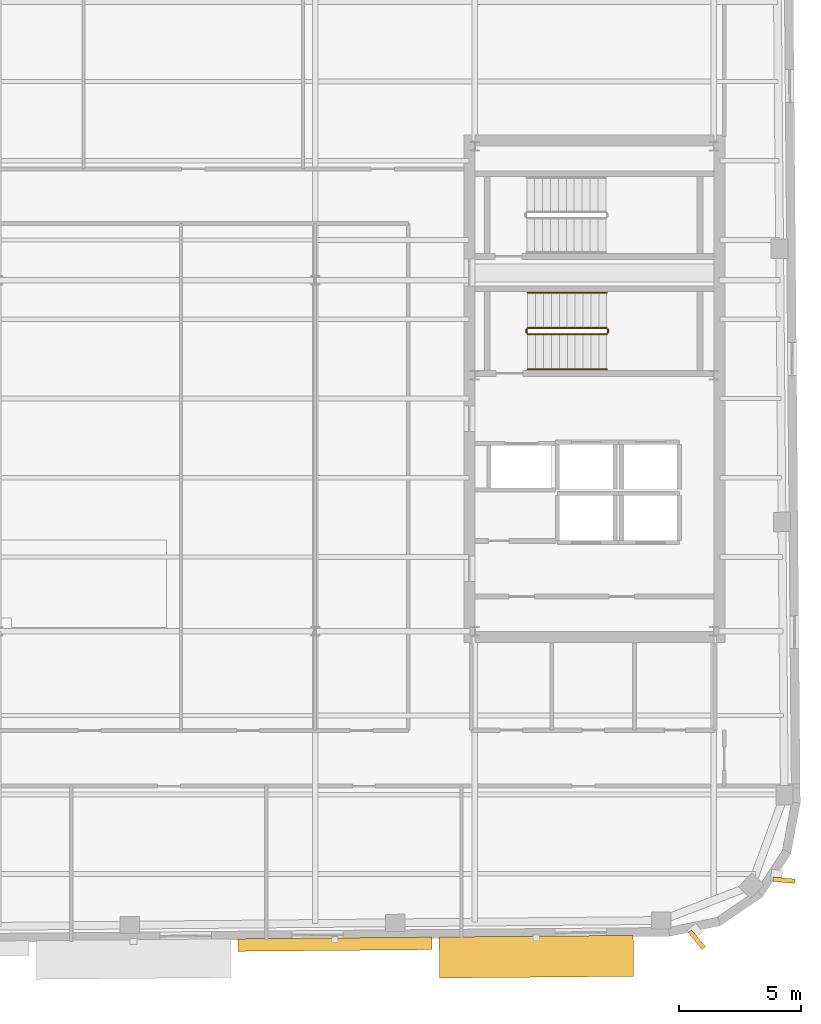
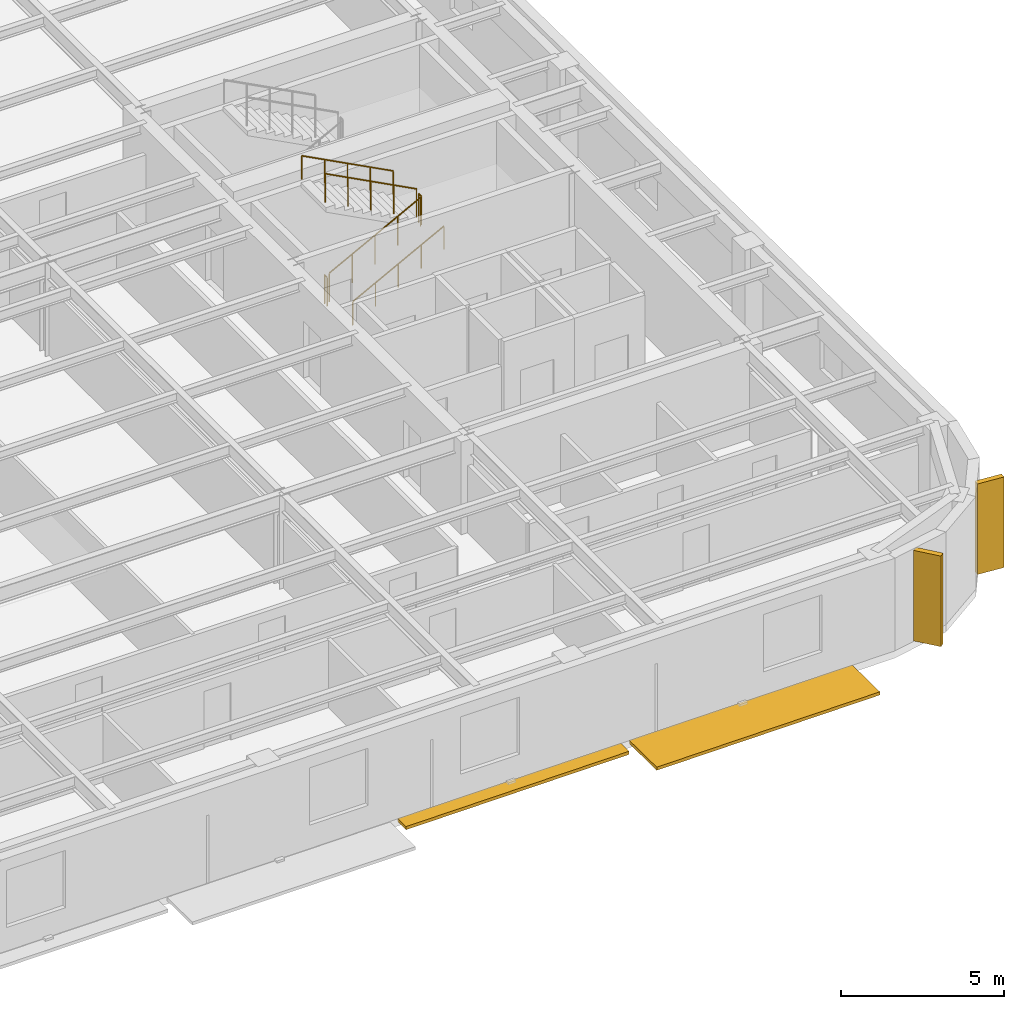
# One storey, part 13 of 15: 6 railings, 4 shading devices.
"""IFC4 building model written with IfcOpenShell, lengths in metres."""

from ifc_helpers import new_model, si_unit, direction, frame, origin, origin_2d, place, context, subcontext, project, spatial, rectangle, circle, extrude, material, type_object, element, save


model = new_model("IFC4")

# Units and contexts
model_context = context("Model", 3, precision=1e-05, world=origin(), true_north=direction((0.0, 1.0)))
body_context = subcontext(model_context, "Body", "Model", "MODEL_VIEW")
ifc_project = project(units=[si_unit("LENGTHUNIT", "METRE"), si_unit("AREAUNIT", "SQUARE_METRE"), si_unit("VOLUMEUNIT", "CUBIC_METRE"), si_unit("PLANEANGLEUNIT", "RADIAN"), si_unit("MASSUNIT", "GRAM", prefix="KILO")], contexts=[model_context])

# Site, building, storey
site_placement = place(None, origin())
site = spatial("IfcSite", under=ifc_project, at=site_placement, CompositionType="ELEMENT")
building_placement = place(site_placement, origin())
building = spatial("IfcBuilding", under=site, at=building_placement, Name="Kolvaren Arena Tower", CompositionType="ELEMENT")
storey_placement = place(building_placement, frame((0.0, 0.0, 293.64990234375)))
storey = spatial("IfcBuildingStorey", under=building, at=storey_placement, Name="L72", CompositionType="ELEMENT", Elevation=293.64990234375)

# Railings
ifc_material_1 = material(Name="Painted galvanized steel", Category="steel")
railing_type_1 = type_object("IfcRailingType", Name="GUARD-ST-110", PredefinedType="GUARDRAIL", material=ifc_material_1)
railing_1_placement = place(storey_placement, frame((52.719970703125, 31.639892578125, 0.170654296875)))
element("IfcRailing", 1, at=railing_1_placement, inside=storey, type_object=railing_type_1, Name="L72 ST-E1 stair guard 1", PredefinedType="GUARDRAIL", context=body_context, shape_type="SweptSolid", body=[
    extrude(circle(Radius=0.02392578125, at=origin_2d()), frame((0.0, 0.0, 1.076171875), z_axis=(0.885020909582, 0.0, 0.465551274945), x_axis=(0.0, 1.0, 0.0)), (0.0, 0.0, 1.0), 3.660888671875),
    extrude(circle(Radius=0.02099609375, at=origin_2d()), origin(), (0.0, 0.0, 1.0), 1.052001953125),
    extrude(circle(Radius=0.02099609375, at=origin_2d()), frame((0.81005859375, 0.0, 0.426025390625)), (0.0, 0.0, 1.0), 1.052001953125),
    extrude(circle(Radius=0.02099609375, at=origin_2d()), frame((1.6201171875, 0.0, 0.85205078125)), (0.0, 0.0, 1.0), 1.052001953125),
    extrude(circle(Radius=0.02099609375, at=origin_2d()), frame((2.429931640625, 0.0, 1.2783203125)), (0.0, 0.0, 1.0), 1.052001953125),
    extrude(circle(Radius=0.02099609375, at=origin_2d()), frame((3.239990234375, 0.0, 1.704345703125)), (0.0, 0.0, 1.0), 1.052001953125),
])
railing_2_placement = place(storey_placement, frame((56.010009765625, 31.68994140625, 1.875)))
element("IfcRailing", 2, at=railing_2_placement, inside=storey, type_object=railing_type_1, Name="L72 ST-E1 stair guard 2", PredefinedType="GUARDRAIL", context=body_context, shape_type="SweptSolid", body=[
    extrude(circle(Radius=0.02392578125, at=origin_2d()), frame((0.0, 0.0, 1.076171875), z_axis=(0.0, 1.0, 0.0), x_axis=(-1.0, 0.0, 0.0)), (0.0, 0.0, 1.0), 0.150146484375),
    extrude(circle(Radius=0.02099609375, at=origin_2d()), origin(), (0.0, 0.0, 1.0), 1.052001953125),
    extrude(circle(Radius=0.02099609375, at=origin_2d()), frame((0.0, 0.150146484375, 0.0)), (0.0, 0.0, 1.0), 1.052001953125),
])
railing_3_placement = place(storey_placement, frame((55.9599609375, 31.889892578125, 2.045654296875)))
element("IfcRailing", 3, at=railing_3_placement, inside=storey, type_object=railing_type_1, Name="L72 ST-E1 stair guard 3", PredefinedType="GUARDRAIL", context=body_context, shape_type="SweptSolid", body=[
    extrude(circle(Radius=0.02392578125, at=origin_2d()), frame((0.0, 0.0, 1.076171875), z_axis=(-0.885020909582, 0.0, 0.465551274945), x_axis=(0.0, -1.0, 0.0)), (0.0, 0.0, 1.0), 3.660888671875),
    extrude(circle(Radius=0.02099609375, at=origin_2d()), origin(), (0.0, 0.0, 1.0), 1.052001953125),
    extrude(circle(Radius=0.02099609375, at=origin_2d()), frame((-0.81005859375, 0.0, 0.426025390625)), (0.0, 0.0, 1.0), 1.052001953125),
    extrude(circle(Radius=0.02099609375, at=origin_2d()), frame((-1.6201171875, 0.0, 0.85205078125)), (0.0, 0.0, 1.0), 1.052001953125),
    extrude(circle(Radius=0.02099609375, at=origin_2d()), frame((-2.429931640625, 0.0, 1.2783203125)), (0.0, 0.0, 1.0), 1.052001953125),
    extrude(circle(Radius=0.02099609375, at=origin_2d()), frame((-3.239990234375, 0.0, 1.704345703125)), (0.0, 0.0, 1.0), 1.052001953125),
])
railing_4_placement = place(storey_placement, frame((52.669921875, 31.68994140625, 0.0)))
element("IfcRailing", 4, at=railing_4_placement, inside=storey, type_object=railing_type_1, Name="L72 ST-E1 stair guard 4", PredefinedType="GUARDRAIL", context=body_context, shape_type="SweptSolid", body=[
    extrude(circle(Radius=0.02392578125, at=origin_2d()), frame((0.0, 0.0, 1.076171875), z_axis=(0.0, 1.0, 0.0), x_axis=(-1.0, 0.0, 0.0)), (0.0, 0.0, 1.0), 0.150146484375),
    extrude(circle(Radius=0.02099609375, at=origin_2d()), origin(), (0.0, 0.0, 1.0), 1.052001953125),
    extrude(circle(Radius=0.02099609375, at=origin_2d()), frame((0.0, 0.150146484375, 0.0)), (0.0, 0.0, 1.0), 1.052001953125),
])
ifc_material_2 = material(Name="Brushed stainless steel handrail", Category="steel")
railing_type_2 = type_object("IfcRailingType", Name="HRAIL-900", PredefinedType="HANDRAIL", material=ifc_material_2)
railing_5_placement = place(storey_placement, frame((52.719970703125, 30.199951171875, 0.170654296875)))
element("IfcRailing", 5, at=railing_5_placement, inside=storey, type_object=railing_type_2, Name="L72 ST-E1 stair handrail 1", PredefinedType="HANDRAIL", context=body_context, shape_type="SweptSolid", body=[
    extrude(circle(Radius=0.02392578125, at=origin_2d()), frame((0.0, 0.0, 0.8759765625), z_axis=(0.885020909582, 0.0, 0.465551274945), x_axis=(0.0, 1.0, 0.0)), (0.0, 0.0, 1.0), 3.660888671875),
    extrude(circle(Radius=0.02099609375, at=origin_2d()), origin(), (0.0, 0.0, 1.0), 0.851806640625),
    extrude(circle(Radius=0.02099609375, at=origin_2d()), frame((0.81005859375, 0.0, 0.426025390625)), (0.0, 0.0, 1.0), 0.851806640625),
    extrude(circle(Radius=0.02099609375, at=origin_2d()), frame((1.6201171875, 0.0, 0.85205078125)), (0.0, 0.0, 1.0), 0.851806640625),
    extrude(circle(Radius=0.02099609375, at=origin_2d()), frame((2.429931640625, 0.0, 1.2783203125)), (0.0, 0.0, 1.0), 0.851806640625),
    extrude(circle(Radius=0.02099609375, at=origin_2d()), frame((3.239990234375, 0.0, 1.704345703125)), (0.0, 0.0, 1.0), 0.851806640625),
])
railing_6_placement = place(storey_placement, frame((55.9599609375, 33.330078125, 2.045654296875)))
element("IfcRailing", 6, at=railing_6_placement, inside=storey, type_object=railing_type_2, Name="L72 ST-E1 stair handrail 2", PredefinedType="HANDRAIL", context=body_context, shape_type="SweptSolid", body=[
    extrude(circle(Radius=0.02392578125, at=origin_2d()), frame((0.0, 0.0, 0.8759765625), z_axis=(-0.885020909582, 0.0, 0.465551274945), x_axis=(0.0, -1.0, 0.0)), (0.0, 0.0, 1.0), 3.660888671875),
    extrude(circle(Radius=0.02099609375, at=origin_2d()), origin(), (0.0, 0.0, 1.0), 0.851806640625),
    extrude(circle(Radius=0.02099609375, at=origin_2d()), frame((-0.81005859375, 0.0, 0.426025390625)), (0.0, 0.0, 1.0), 0.851806640625),
    extrude(circle(Radius=0.02099609375, at=origin_2d()), frame((-1.6201171875, 0.0, 0.85205078125)), (0.0, 0.0, 1.0), 0.851806640625),
    extrude(circle(Radius=0.02099609375, at=origin_2d()), frame((-2.429931640625, 0.0, 1.2783203125)), (0.0, 0.0, 1.0), 0.851806640625),
    extrude(circle(Radius=0.02099609375, at=origin_2d()), frame((-3.239990234375, 0.0, 1.704345703125)), (0.0, 0.0, 1.0), 0.851806640625),
])

# Shading devices
ifc_material_3 = material(Name="Precast architectural concrete C50/60 rib fin", Category="concrete")
shading_device_type_1 = type_object("IfcShadingDeviceType", Name="SHAD-FIN-28", PredefinedType="USERDEFINED", material=ifc_material_3)
for number, where, z_axis, x_axis, name in (
    (7, (59.650634765625, 6.80615234375, 0.020263671875), (0.0, 0.0, 1.0), (0.639409480102, -0.768866384202, 0.0), "Precast 28-Deg Corner Rib Fin (L72)"),
    (8, (63.22900390625, 9.24267578125, 0.020263671875), (0.0, 0.0, 1.0), (0.995807961336, -0.091468596471, 0.0), "Precast 28-Deg Corner Rib Fin (L72)"),
):
    element("IfcShadingDevice", number, at=place(storey_placement, frame(where, z_axis=z_axis, x_axis=x_axis)), inside=storey, type_object=shading_device_type_1, Name=name, ObjectType="FIN", PredefinedType="USERDEFINED", context=body_context, shape_type="SweptSolid", body=[
        extrude(rectangle(XDim=0.89990234375, YDim=0.179931640625, at=origin_2d()), origin(), (0.0, 0.0, 1.0), 3.39990234375),
    ])
ifc_material_4 = material(Name="Architectural precast GFRC and anodised aluminium sunshade", Category="concrete")
shading_device_type_2 = type_object("IfcShadingDeviceType", Name="SHAD-SINE-A", PredefinedType="USERDEFINED", material=ifc_material_4)
shading_device_1_placement = place(storey_placement, frame((44.80810546875, 6.617919921875, -0.139892578125), z_axis=(0.0, 0.0, 1.0), x_axis=(-0.999961923064, -0.008726535498, 0.0)))
element("IfcShadingDevice", 9, at=shading_device_1_placement, inside=storey, type_object=shading_device_type_2, Name="Sinusoidal Slab-Edge Sunshade Louvre (L72)", ObjectType="LOUVRE", PredefinedType="USERDEFINED", context=body_context, shape_type="SweptSolid", body=[
    extrude(rectangle(XDim=7.9599609375, YDim=0.5126953125, at=origin_2d()), origin(), (0.0, 0.0, 1.0), 0.1201171875),
])
shading_device_type_3 = type_object("IfcShadingDeviceType", Name="SHAD-SINE-B", PredefinedType="JALOUSIE", material=ifc_material_4)
shading_device_2_placement = place(storey_placement, frame((53.072998046875, 6.10595703125, -0.139892578125), z_axis=(0.0, 0.0, 1.0), x_axis=(-0.999961923064, -0.008726535498, 0.0)))
element("IfcShadingDevice", 10, at=shading_device_2_placement, inside=storey, type_object=shading_device_type_3, Name="Sinusoidal Slab-Edge Sunshade Louvre (L72)", PredefinedType="JALOUSIE", context=body_context, shape_type="SweptSolid", body=[
    extrude(rectangle(XDim=7.9599609375, YDim=1.680908203125, at=origin_2d()), origin(), (0.0, 0.0, 1.0), 0.1201171875),
])

save(model, "model.ifc")
